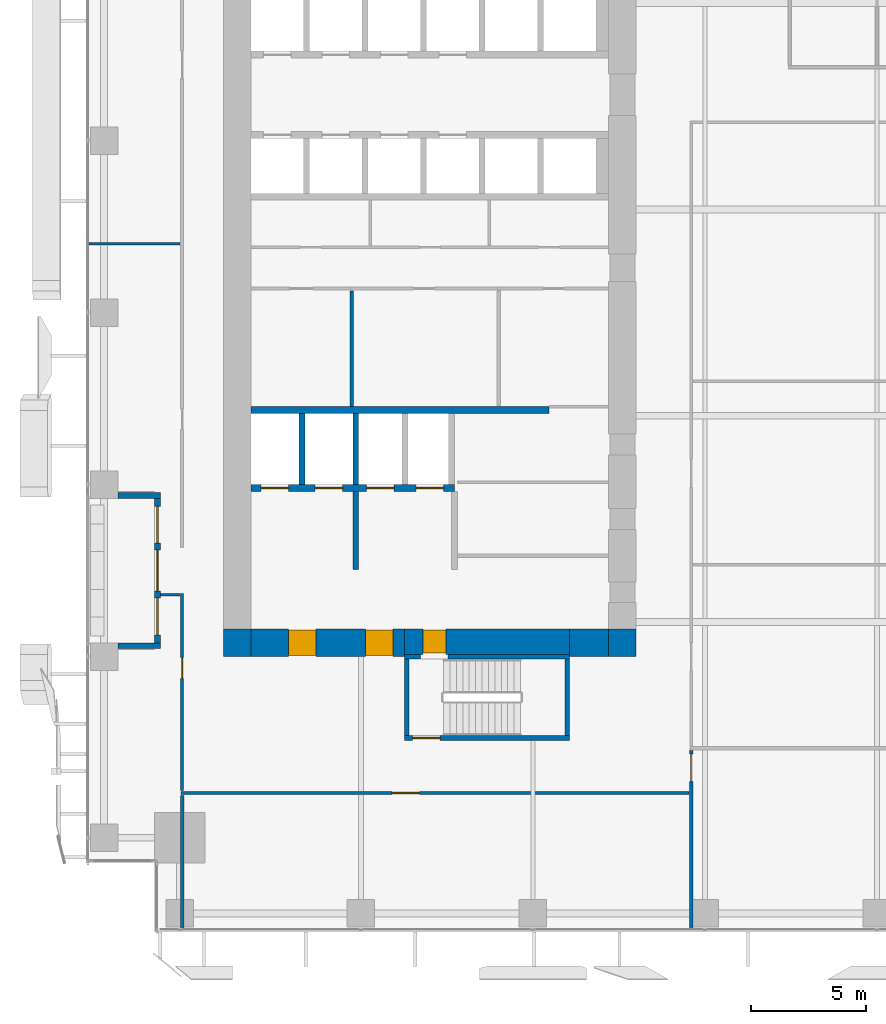
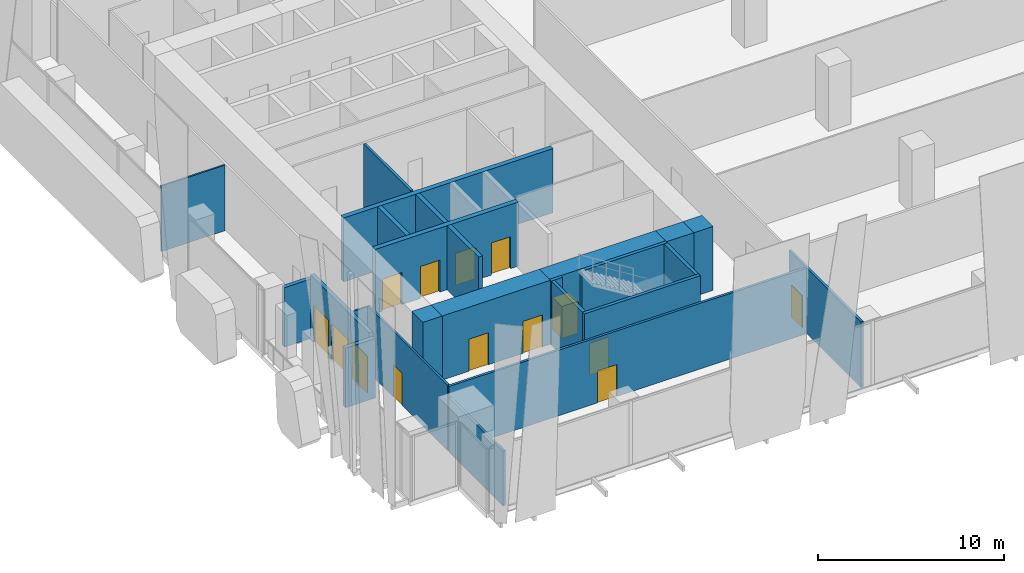
# One storey, part 28 of 36: 25 walls, 12 doors, 2 windows, 14 openings.
"""IFC4 building model written with IfcOpenShell, lengths in metres."""

from ifc_helpers import new_model, si_unit, direction, frame, frame_2d, origin, place, context, subcontext, project, spatial, rectangle, extrude, source, transform, mapped, material, layer, layer_set, type_object, element, fill, save


model = new_model("IFC4")

# Units and contexts
model_context = context("Model", 3, precision=1e-05, world=origin(), true_north=direction((0.0, 1.0)))
body_context = subcontext(model_context, "Body", "Model", "MODEL_VIEW")
ifc_project = project(units=[si_unit("LENGTHUNIT", "METRE"), si_unit("AREAUNIT", "SQUARE_METRE"), si_unit("VOLUMEUNIT", "CUBIC_METRE"), si_unit("PLANEANGLEUNIT", "RADIAN"), si_unit("MASSUNIT", "GRAM", prefix="KILO")], contexts=[model_context])

# Site, building, storey
site_placement = place(None, origin())
site = spatial("IfcSite", under=ifc_project, at=site_placement, CompositionType="ELEMENT")
building_placement = place(site_placement, origin())
building = spatial("IfcBuilding", under=site, at=building_placement, Name="Khomas Fold Tower", CompositionType="ELEMENT")
storey_placement = place(building_placement, frame((0.0, 0.0, 46.5)))
storey = spatial("IfcBuildingStorey", under=building, at=storey_placement, Name="L09", CompositionType="ELEMENT", Elevation=46.5)

# Wall, openings, doors
ifc_material_1 = material(Name="Concrete C70/85", Category="concrete")
ifc_layer_1 = layer(ifc_material_1, 1.199951171875)
ifc_layer_set_1 = layer_set([ifc_layer_1], Name="Concrete C70/85")
wall_type_1 = type_object("IfcWallType", Name="Core wall 1200", PredefinedType="SHEAR", material=ifc_layer_set_1)
shared_shape_1 = source(origin(), body_context, "Body", "SweptSolid", [
    extrude(rectangle(XDim=6.699951171875, YDim=1.199951171875, at=frame_2d((3.35009765625, 0.0))), origin(), (0.0, 0.0, 1.0), 4.199951171875),
])
wall_1_placement = place(storey_placement, frame((7.199951171875, 12.60009765625, 0.0), z_axis=(0.0, 0.0, 1.0), x_axis=(1.0, 0.0, 0.0)))
wall_1 = element("IfcWall", 1, at=wall_1_placement, inside=storey, type_object=wall_type_1, Name="Core wall CW-L-S-B2", PredefinedType="SHEAR", context=body_context, shape_type="MappedRepresentation", body=[
    mapped(shared_shape_1, transform((0.0, 0.0, 0.0))),
])
shared_shape_2 = source(origin(), body_context, "Body", "SweptSolid", [
    extrude(rectangle(XDim=1.199951171875, YDim=2.10009765625, at=frame_2d((0.60009765625, 1.050048828125))), frame((0.0, 0.60986328125, 0.0), z_axis=(0.0, -1.0, 0.0), x_axis=(1.0, 0.0, 0.0)), (0.0, 0.0, 1.0), 1.219970703125),
])
opening_1_placement = place(wall_1_placement, frame((5.0, 0.0, 0.0)))
opening_1 = element("IfcOpeningElement", 2, at=opening_1_placement, cuts=wall_1, Name="Opening 0009", PredefinedType="OPENING", context=body_context, shape_type="MappedRepresentation", body=[
    mapped(shared_shape_2, transform((0.0, 0.0, 0.0))),
])
opening_2_placement = place(wall_1_placement, frame((1.64990234375, 0.0, 0.0)))
opening_2 = element("IfcOpeningElement", 3, at=opening_2_placement, cuts=wall_1, Name="Opening 0009", PredefinedType="OPENING", context=body_context, shape_type="MappedRepresentation", body=[
    mapped(shared_shape_2, transform((0.0, 0.0, 0.0))),
])
ifc_material_2 = material(Name="Steel door leaf", Category="steel")
door_type_1 = type_object("IfcDoorType", Name="Lobby door 1200x2100 right-hand", OperationType="SINGLE_SWING_RIGHT", PredefinedType="DOOR", material=ifc_material_2)
shared_shape_3 = source(origin(), body_context, "Body", "SweptSolid", [
    extrude(rectangle(XDim=1.199951171875, YDim=2.10009765625, at=frame_2d((0.60009765625, 1.050048828125))), frame((0.0, 0.5498046875, 0.0), z_axis=(0.0, -1.0, 0.0), x_axis=(1.0, 0.0, 0.0)), (0.0, 0.0, 1.0), 1.099853515625),
])
door_1_placement = place(opening_1_placement, origin())
door_1 = element("IfcDoor", 4, at=door_1_placement, inside=storey, type_object=door_type_1, Name="Lobby door", OperationType="SINGLE_SWING_RIGHT", OverallHeight=2.10009765625, OverallWidth=1.199951171875, PredefinedType="DOOR", context=body_context, shape_type="MappedRepresentation", body=[
    mapped(shared_shape_3, transform((0.0, 0.0, 0.0))),
])
fill(opening_1, door_1)
door_2_placement = place(opening_2_placement, origin())
door_2 = element("IfcDoor", 5, at=door_2_placement, inside=storey, type_object=door_type_1, Name="Lobby door", OperationType="SINGLE_SWING_RIGHT", OverallHeight=2.10009765625, OverallWidth=1.199951171875, PredefinedType="DOOR", context=body_context, shape_type="MappedRepresentation", body=[
    mapped(shared_shape_3, transform((0.0, 0.0, 0.0))),
])
fill(opening_2, door_2)

# Walls
ifc_material_3 = material(Name="Concrete C70/85", Category="concrete")
ifc_layer_2 = layer(ifc_material_3, 1.199951171875)
ifc_layer_set_2 = layer_set([ifc_layer_2], Name="Concrete C70/85")
wall_type_2 = type_object("IfcWallType", Name="Core corner wall 1200", PredefinedType="SHEAR", material=ifc_layer_set_2)
shared_shape_4 = source(origin(), body_context, "Body", "SweptSolid", [
    extrude(rectangle(XDim=1.199951171875, YDim=1.199951171875, at=frame_2d((0.60009765625, 0.0))), origin(), (0.0, 0.0, 1.0), 4.199951171875),
])
for number, where, z_axis, x_axis, name in (
    (6, (22.800048828125, 12.60009765625, 0.0), (0.0, 0.0, 1.0), (1.0, 0.0, 0.0), "Core wall CW-L-SE-B2"),
    (7, (6.0, 12.60009765625, 0.0), (0.0, 0.0, 1.0), (1.0, 0.0, 0.0), "Core wall CW-L-SW-B2"),
):
    element("IfcWall", number, at=place(storey_placement, frame(where, z_axis=z_axis, x_axis=x_axis)), inside=storey, type_object=wall_type_2, Name=name, PredefinedType="SHEAR", context=body_context, shape_type="MappedRepresentation", body=[
        mapped(shared_shape_4, transform((0.0, 0.0, 0.0))),
    ])

# Wall, opening, door
ifc_material_4 = material(Name="Concrete C70/85", Category="concrete")
ifc_layer_3 = layer(ifc_material_4, 1.10009765625)
ifc_layer_set_3 = layer_set([ifc_layer_3], Name="Concrete C70/85")
wall_type_3 = type_object("IfcWallType", Name="Core wall 1100", PredefinedType="SHEAR", material=ifc_layer_set_3)
shared_shape_5 = source(origin(), body_context, "Body", "SweptSolid", [
    extrude(rectangle(XDim=7.2001953125, YDim=1.10009765625, at=frame_2d((3.60009765625, 0.0))), origin(), (0.0, 0.0, 1.0), 4.199951171875),
])
wall_2_placement = place(storey_placement, frame((13.89990234375, 12.64990234375, 0.0), z_axis=(0.0, 0.0, 1.0), x_axis=(1.0, 0.0, 0.0)))
wall_2 = element("IfcWall", 8, at=wall_2_placement, inside=storey, type_object=wall_type_3, Name="Core wall CW-L-S-B2-1", PredefinedType="SHEAR", context=body_context, shape_type="MappedRepresentation", body=[
    mapped(shared_shape_5, transform((0.0, 0.0, 0.0))),
])
shared_shape_6 = source(origin(), body_context, "Body", "SweptSolid", [
    extrude(rectangle(XDim=1.0, YDim=2.10009765625, at=frame_2d((0.5, 1.050048828125))), frame((0.0, 0.56005859375, 0.0), z_axis=(0.0, -1.0, 0.0), x_axis=(1.0, 0.0, 0.0)), (0.0, 0.0, 1.0), 1.1201171875),
])
opening_3_placement = place(wall_2_placement, frame((0.800048828125, 0.0, 0.0)))
opening_3 = element("IfcOpeningElement", 9, at=opening_3_placement, cuts=wall_2, Name="Opening 0010", PredefinedType="OPENING", context=body_context, shape_type="MappedRepresentation", body=[
    mapped(shared_shape_6, transform((0.0, 0.0, 0.0))),
])
ifc_material_5 = material(Name="Steel door leaf", Category="steel")
door_type_2 = type_object("IfcDoorType", Name="Stair door 1000x2100 right-hand", OperationType="SINGLE_SWING_RIGHT", PredefinedType="DOOR", material=ifc_material_5)
shared_shape_7 = source(origin(), body_context, "Body", "SweptSolid", [
    extrude(rectangle(XDim=1.0, YDim=2.10009765625, at=frame_2d((0.5, 1.050048828125))), frame((0.0, 0.5, 0.0), z_axis=(0.0, -1.0, 0.0), x_axis=(1.0, 0.0, 0.0)), (0.0, 0.0, 1.0), 1.0),
])
door_3_placement = place(opening_3_placement, origin())
door_3 = element("IfcDoor", 10, at=door_3_placement, inside=storey, type_object=door_type_2, Name="Stair door", OperationType="SINGLE_SWING_RIGHT", OverallHeight=2.10009765625, OverallWidth=1.0, PredefinedType="DOOR", context=body_context, shape_type="MappedRepresentation", body=[
    mapped(shared_shape_7, transform((0.0, 0.0, 0.0))),
])
fill(opening_3, door_3)

# Walls
shared_shape_8 = source(origin(), body_context, "Body", "SweptSolid", [
    extrude(rectangle(XDim=1.699951171875, YDim=1.199951171875, at=frame_2d((0.85009765625, 0.0))), origin(), (0.0, 0.0, 1.0), 4.199951171875),
])
wall_3_placement = place(storey_placement, frame((21.10009765625, 12.60009765625, 0.0), z_axis=(0.0, 0.0, 1.0), x_axis=(1.0, 0.0, 0.0)))
element("IfcWall", 11, at=wall_3_placement, inside=storey, type_object=wall_type_1, Name="Core wall CW-L-S-B2-2", PredefinedType="SHEAR", context=body_context, shape_type="MappedRepresentation", body=[
    mapped(shared_shape_8, transform((0.0, 0.0, 0.0))),
])
ifc_material_6 = material(Name="Concrete C50/60", Category="concrete")
ifc_layer_4 = layer(ifc_material_6, 0.199951171875)
ifc_layer_set_4 = layer_set([ifc_layer_4], Name="Concrete C50/60")
wall_type_4 = type_object("IfcWallType", Name="Stair wall 200", PredefinedType="SHEAR", material=ifc_layer_set_4)
shared_shape_9 = source(origin(), body_context, "Body", "SweptSolid", [
    extrude(rectangle(XDim=0.7001953125, YDim=0.199951171875, at=frame_2d((0.35009765625, 0.0))), origin(), (0.0, 0.0, 1.0), 4.199951171875),
])
wall_4_placement = place(storey_placement, frame((13.89990234375, 12.0, 0.0), z_axis=(0.0, 0.0, 1.0), x_axis=(1.0, 0.0, 0.0)))
element("IfcWall", 12, at=wall_4_placement, inside=storey, type_object=wall_type_4, Name="Stair wall SW-ST2-N", PredefinedType="SHEAR", context=body_context, shape_type="MappedRepresentation", body=[
    mapped(shared_shape_9, transform((0.0, 0.0, 0.0))),
])
shared_shape_10 = source(origin(), body_context, "Body", "SweptSolid", [
    extrude(rectangle(XDim=5.300048828125, YDim=0.199951171875, at=frame_2d((2.64990234375, 0.0))), origin(), (0.0, 0.0, 1.0), 4.199951171875),
])
wall_5_placement = place(storey_placement, frame((15.800048828125, 12.0, 0.0), z_axis=(0.0, 0.0, 1.0), x_axis=(1.0, 0.0, 0.0)))
element("IfcWall", 13, at=wall_5_placement, inside=storey, type_object=wall_type_4, Name="Stair wall SW-ST2-NB", PredefinedType="SHEAR", context=body_context, shape_type="MappedRepresentation", body=[
    mapped(shared_shape_10, transform((0.0, 0.0, 0.0))),
])

# Wall, opening, door
shared_shape_11 = source(origin(), body_context, "Body", "SweptSolid", [
    extrude(rectangle(XDim=7.2001953125, YDim=0.199951171875, at=frame_2d((3.60009765625, 0.0))), origin(), (0.0, 0.0, 1.0), 4.199951171875),
])
wall_6_placement = place(storey_placement, frame((13.89990234375, 8.449951171875, 0.0), z_axis=(0.0, 0.0, 1.0), x_axis=(1.0, 0.0, 0.0)))
wall_6 = element("IfcWall", 14, at=wall_6_placement, inside=storey, type_object=wall_type_4, Name="Stair wall SW-ST2-S", PredefinedType="SHEAR", context=body_context, shape_type="MappedRepresentation", body=[
    mapped(shared_shape_11, transform((0.0, 0.0, 0.0))),
])
shared_shape_12 = source(origin(), body_context, "Body", "SweptSolid", [
    extrude(rectangle(XDim=1.199951171875, YDim=2.10009765625, at=frame_2d((0.60009765625, 1.050048828125))), frame((0.0, 0.10986328125, 0.0), z_axis=(0.0, -1.0, 0.0), x_axis=(1.0, 0.0, 0.0)), (0.0, 0.0, 1.0), 0.219970703125),
])
opening_4_placement = place(wall_6_placement, frame((0.35009765625, 0.0, 0.0)))
opening_4 = element("IfcOpeningElement", 15, at=opening_4_placement, cuts=wall_6, Name="Opening SD-ST2", PredefinedType="OPENING", context=body_context, shape_type="MappedRepresentation", body=[
    mapped(shared_shape_12, transform((0.0, 0.0, 0.0))),
])
ifc_material_7 = material(Name="Steel door leaf", Category="steel")
door_type_3 = type_object("IfcDoorType", Name="Stair door 1200x2100 right-hand", OperationType="SINGLE_SWING_RIGHT", PredefinedType="DOOR", material=ifc_material_7)
shared_shape_13 = source(origin(), body_context, "Body", "SweptSolid", [
    extrude(rectangle(XDim=1.199951171875, YDim=2.10009765625, at=frame_2d((0.60009765625, 1.050048828125))), frame((0.0, 0.02490234375, 0.0), z_axis=(0.0, -1.0, 0.0), x_axis=(1.0, 0.0, 0.0)), (0.0, 0.0, 1.0), 0.050048828125),
])
door_4_placement = place(opening_4_placement, origin())
door_4 = element("IfcDoor", 16, at=door_4_placement, inside=storey, type_object=door_type_3, Name="Stair door", OperationType="SINGLE_SWING_RIGHT", OverallHeight=2.10009765625, OverallWidth=1.199951171875, PredefinedType="DOOR", context=body_context, shape_type="MappedRepresentation", body=[
    mapped(shared_shape_13, transform((0.0, 0.0, 0.0))),
])
fill(opening_4, door_4)

# Walls
shared_shape_14 = source(origin(), body_context, "Body", "SweptSolid", [
    extrude(rectangle(XDim=3.349853515625, YDim=0.199951171875, at=frame_2d((1.6748046875, 0.0))), origin(), (0.0, 0.0, 1.0), 4.199951171875),
])
for number, where, z_axis, x_axis, name in (
    (17, (21.0, 8.550048828125, 0.0), (0.0, 0.0, 1.0), (0.0, 1.0, 0.0), "Stair wall SW-ST2-E"),
    (18, (14.0, 8.550048828125, 0.0), (0.0, 0.0, 1.0), (0.0, 1.0, 0.0), "Stair wall SW-ST2-W"),
):
    element("IfcWall", number, at=place(storey_placement, frame(where, z_axis=z_axis, x_axis=x_axis)), inside=storey, type_object=wall_type_4, Name=name, PredefinedType="SHEAR", context=body_context, shape_type="MappedRepresentation", body=[
        mapped(shared_shape_14, transform((0.0, 0.0, 0.0))),
    ])
ifc_material_8 = material(Name="Concrete C50/60", Category="concrete")
ifc_layer_5 = layer(ifc_material_8, 0.300048828125)
ifc_layer_set_5 = layer_set([ifc_layer_5], Name="Concrete C50/60")
wall_type_5 = type_object("IfcWallType", Name="Shaft wall 300", PredefinedType="STANDARD", material=ifc_layer_set_5)
shared_shape_15 = source(origin(), body_context, "Body", "SweptSolid", [
    extrude(rectangle(XDim=13.0, YDim=0.300048828125, at=frame_2d((6.5, 0.0))), origin(), (0.0, 0.0, 1.0), 4.199951171875),
])
wall_7_placement = place(storey_placement, frame((7.199951171875, 22.75, 0.0), z_axis=(0.0, 0.0, 1.0), x_axis=(1.0, 0.0, 0.0)))
element("IfcWall", 19, at=wall_7_placement, inside=storey, type_object=wall_type_5, Name="Core wall SW-FS-B", PredefinedType="STANDARD", context=body_context, shape_type="MappedRepresentation", body=[
    mapped(shared_shape_15, transform((0.0, 0.0, 0.0))),
])

# Wall, openings, doors
shared_shape_16 = source(origin(), body_context, "Body", "SweptSolid", [
    extrude(rectangle(XDim=8.875, YDim=0.300048828125, at=frame_2d((4.4375, 0.0))), origin(), (0.0, 0.0, 1.0), 4.199951171875),
])
wall_8_placement = place(storey_placement, frame((7.199951171875, 19.35009765625, 0.0), z_axis=(0.0, 0.0, 1.0), x_axis=(1.0, 0.0, 0.0)))
wall_8 = element("IfcWall", 20, at=wall_8_placement, inside=storey, type_object=wall_type_5, Name="Core wall SW-FS-F", PredefinedType="STANDARD", context=body_context, shape_type="MappedRepresentation", body=[
    mapped(shared_shape_16, transform((0.0, 0.0, 0.0))),
])
shared_shape_17 = source(origin(), body_context, "Body", "SweptSolid", [
    extrude(rectangle(XDim=1.199951171875, YDim=2.10009765625, at=frame_2d((0.60009765625, 1.050048828125))), frame((0.0, 0.159912109375, 0.0), z_axis=(0.0, -1.0, 0.0), x_axis=(1.0, 0.0, 0.0)), (0.0, 0.0, 1.0), 0.320068359375),
])
opening_5_placement = place(wall_8_placement, frame((0.449951171875, 0.0, 0.0)))
opening_5 = element("IfcOpeningElement", 21, at=opening_5_placement, cuts=wall_8, Name="Opening LD-SV1", PredefinedType="OPENING", context=body_context, shape_type="MappedRepresentation", body=[
    mapped(shared_shape_17, transform((0.0, 0.0, 0.0))),
])
opening_6_placement = place(wall_8_placement, frame((2.800048828125, 0.0, 0.0)))
opening_6 = element("IfcOpeningElement", 22, at=opening_6_placement, cuts=wall_8, Name="Opening LD-SV2", PredefinedType="OPENING", context=body_context, shape_type="MappedRepresentation", body=[
    mapped(shared_shape_17, transform((0.0, 0.0, 0.0))),
])
opening_7_placement = place(wall_8_placement, frame((5.050048828125, 0.0, 0.0)))
opening_7 = element("IfcOpeningElement", 23, at=opening_7_placement, cuts=wall_8, Name="Opening LD-FF1", PredefinedType="OPENING", context=body_context, shape_type="MappedRepresentation", body=[
    mapped(shared_shape_17, transform((0.0, 0.0, 0.0))),
])
opening_8_placement = place(wall_8_placement, frame((7.199951171875, 0.0, 0.0)))
opening_8 = element("IfcOpeningElement", 24, at=opening_8_placement, cuts=wall_8, Name="Opening LD-FF2", PredefinedType="OPENING", context=body_context, shape_type="MappedRepresentation", body=[
    mapped(shared_shape_17, transform((0.0, 0.0, 0.0))),
])
ifc_material_9 = material(Name="Steel door leaf", Category="steel")
door_type_4 = type_object("IfcDoorType", Name="Landing door 1200x2100", OperationType="DOUBLE_DOOR_SLIDING", PredefinedType="DOOR", material=ifc_material_9)
door_5_placement = place(opening_5_placement, origin())
door_5 = element("IfcDoor", 25, at=door_5_placement, inside=storey, type_object=door_type_4, Name="Lift landing door", OperationType="DOUBLE_DOOR_SLIDING", OverallHeight=2.10009765625, OverallWidth=1.199951171875, PredefinedType="DOOR", context=body_context, shape_type="MappedRepresentation", body=[
    mapped(shared_shape_13, transform((0.0, 0.0, 0.0))),
])
fill(opening_5, door_5)
door_6_placement = place(opening_6_placement, origin())
door_6 = element("IfcDoor", 26, at=door_6_placement, inside=storey, type_object=door_type_4, Name="Lift landing door", OperationType="DOUBLE_DOOR_SLIDING", OverallHeight=2.10009765625, OverallWidth=1.199951171875, PredefinedType="DOOR", context=body_context, shape_type="MappedRepresentation", body=[
    mapped(shared_shape_13, transform((0.0, 0.0, 0.0))),
])
fill(opening_6, door_6)
door_7_placement = place(opening_7_placement, origin())
door_7 = element("IfcDoor", 27, at=door_7_placement, inside=storey, type_object=door_type_4, Name="Lift landing door", OperationType="DOUBLE_DOOR_SLIDING", OverallHeight=2.10009765625, OverallWidth=1.199951171875, PredefinedType="DOOR", context=body_context, shape_type="MappedRepresentation", body=[
    mapped(shared_shape_13, transform((0.0, 0.0, 0.0))),
])
fill(opening_7, door_7)
door_8_placement = place(opening_8_placement, origin())
door_8 = element("IfcDoor", 28, at=door_8_placement, inside=storey, type_object=door_type_4, Name="Lift landing door", OperationType="DOUBLE_DOOR_SLIDING", OverallHeight=2.10009765625, OverallWidth=1.199951171875, PredefinedType="DOOR", context=body_context, shape_type="MappedRepresentation", body=[
    mapped(shared_shape_13, transform((0.0, 0.0, 0.0))),
])
fill(opening_8, door_8)

# Walls
ifc_material_10 = material(Name="Concrete C50/60", Category="concrete")
ifc_layer_6 = layer(ifc_material_10, 0.25)
ifc_layer_set_6 = layer_set([ifc_layer_6], Name="Concrete C50/60")
wall_type_6 = type_object("IfcWallType", Name="Shaft wall 250", PredefinedType="STANDARD", material=ifc_layer_set_6)
shared_shape_18 = source(origin(), body_context, "Body", "SweptSolid", [
    extrude(rectangle(XDim=3.10009765625, YDim=0.25, at=frame_2d((1.550048828125, 0.0))), origin(), (0.0, 0.0, 1.0), 4.199951171875),
])
for number, where, z_axis, x_axis, name in (
    (29, (9.425048828125, 19.5, 0.0), (0.0, 0.0, 1.0), (0.0, 1.0, 0.0), "Core wall SW-FS-P1"),
    (30, (11.77490234375, 19.5, 0.0), (0.0, 0.0, 1.0), (0.0, 1.0, 0.0), "Core wall SW-FS-P2"),
):
    element("IfcWall", number, at=place(storey_placement, frame(where, z_axis=z_axis, x_axis=x_axis)), inside=storey, type_object=wall_type_6, Name=name, PredefinedType="STANDARD", context=body_context, shape_type="MappedRepresentation", body=[
        mapped(shared_shape_18, transform((0.0, 0.0, 0.0))),
    ])
ifc_material_11 = material(Name="Concrete C50/60", Category="concrete")
ifc_layer_7 = layer(ifc_material_11, 0.25)
ifc_layer_set_7 = layer_set([ifc_layer_7], Name="Concrete C50/60")
wall_type_7 = type_object("IfcWallType", Name="Lobby wall 250", PredefinedType="STANDARD", material=ifc_layer_set_7)
shared_shape_19 = source(origin(), body_context, "Body", "SweptSolid", [
    extrude(rectangle(XDim=3.39990234375, YDim=0.25, at=frame_2d((1.699951171875, 0.0))), origin(), (0.0, 0.0, 1.0), 4.199951171875),
])
wall_9_placement = place(storey_placement, frame((11.77490234375, 15.800048828125, 0.0), z_axis=(0.0, 0.0, 1.0), x_axis=(0.0, 1.0, 0.0)))
element("IfcWall", 31, at=wall_9_placement, inside=storey, type_object=wall_type_7, Name="Core wall SW-FS-SEP", PredefinedType="STANDARD", context=body_context, shape_type="MappedRepresentation", body=[
    mapped(shared_shape_19, transform((0.0, 0.0, 0.0))),
])
ifc_material_12 = material(Name="Natural stone", Category="masonry")
ifc_layer_8 = layer(ifc_material_12, 0.0400390625)
ifc_material_13 = material(Name="Mineral wool insulation", Category="insulation")
ifc_layer_9 = layer(ifc_material_13, 0.10009765625)
ifc_material_14 = material(Name="Masonry", Category="masonry")
ifc_layer_10 = layer(ifc_material_14, 0.110107421875)
ifc_layer_set_8 = layer_set([ifc_layer_8, ifc_layer_9, ifc_layer_10], Name="Stone-faced insulated masonry")
wall_type_8 = type_object("IfcWallType", Name="BL-Balcony wall", PredefinedType="SOLIDWALL", material=ifc_layer_set_8)
shared_shape_20 = source(origin(), body_context, "Body", "SweptSolid", [
    extrude(rectangle(XDim=1.85009765625, YDim=0.25, at=frame_2d((0.925048828125, 0.0))), origin(), (0.0, 0.0, 1.0), 3.89990234375),
])
for number, where, z_axis, x_axis, name in (
    (32, (1.39990234375, 12.47509765625, 0.0), (0.0, 0.0, 1.0), (1.0, 0.0, 0.0), "Balcony return wall BAL-L09-W1-lo"),
    (33, (1.39990234375, 19.02490234375, 0.0), (0.0, 0.0, 1.0), (1.0, 0.0, 0.0), "Balcony return wall BAL-L09-W1-hi"),
):
    element("IfcWall", number, at=place(storey_placement, frame(where, z_axis=z_axis, x_axis=x_axis)), inside=storey, type_object=wall_type_8, Name=name, PredefinedType="SOLIDWALL", context=body_context, shape_type="MappedRepresentation", body=[
        mapped(shared_shape_20, transform((0.0, 0.0, 0.0))),
    ])

# Wall, openings, windows, door
shared_shape_21 = source(origin(), body_context, "Body", "SweptSolid", [
    extrude(rectangle(XDim=6.2998046875, YDim=0.25, at=frame_2d((3.14990234375, 0.0))), origin(), (0.0, 0.0, 1.0), 4.199951171875),
])
wall_10_placement = place(storey_placement, frame((3.125, 12.60009765625, 0.0), z_axis=(0.0, 0.0, 1.0), x_axis=(0.0, 1.0, 0.0)))
wall_10 = element("IfcWall", 34, at=wall_10_placement, inside=storey, type_object=wall_type_8, Name="Balcony wall BAL-L09-W1", PredefinedType="SOLIDWALL", context=body_context, shape_type="MappedRepresentation", body=[
    mapped(shared_shape_21, transform((0.0, 0.0, 0.0))),
])
shared_shape_22 = source(origin(), body_context, "Body", "SweptSolid", [
    extrude(rectangle(XDim=1.60009765625, YDim=2.39990234375, at=frame_2d((0.800048828125, 1.199951171875))), frame((0.0, 0.135009765625, 0.0), z_axis=(0.0, -1.0, 0.0), x_axis=(1.0, 0.0, 0.0)), (0.0, 0.0, 1.0), 0.27001953125),
])
opening_9_placement = place(wall_10_placement, frame((0.35009765625, 0.0, 0.0)))
opening_9 = element("IfcOpeningElement", 35, at=opening_9_placement, cuts=wall_10, Name="Opening BL-W1", PredefinedType="OPENING", context=body_context, shape_type="MappedRepresentation", body=[
    mapped(shared_shape_22, transform((0.0, 0.0, 0.0))),
])
opening_10_placement = place(wall_10_placement, frame((4.35009765625, 0.0, 0.0)))
opening_10 = element("IfcOpeningElement", 36, at=opening_10_placement, cuts=wall_10, Name="Opening BL-W1", PredefinedType="OPENING", context=body_context, shape_type="MappedRepresentation", body=[
    mapped(shared_shape_22, transform((0.0, 0.0, 0.0))),
])
shared_shape_23 = source(origin(), body_context, "Body", "SweptSolid", [
    extrude(rectangle(XDim=1.800048828125, YDim=2.39990234375, at=frame_2d((0.89990234375, 1.199951171875))), frame((0.0, 0.135009765625, 0.0), z_axis=(0.0, -1.0, 0.0), x_axis=(1.0, 0.0, 0.0)), (0.0, 0.0, 1.0), 0.27001953125),
])
opening_11_placement = place(wall_10_placement, frame((2.25, 0.0, 0.0)))
opening_11 = element("IfcOpeningElement", 37, at=opening_11_placement, cuts=wall_10, Name="Opening BD092", PredefinedType="OPENING", context=body_context, shape_type="MappedRepresentation", body=[
    mapped(shared_shape_23, transform((0.0, 0.0, 0.0))),
])
ifc_material_15 = material(Name="Aluminium framed double glazing", Category="aluminium")
window_type = type_object("IfcWindowType", Name="BL-Fixed glazing 1600 x 2400", PartitioningType="SINGLE_PANEL", PredefinedType="WINDOW", material=ifc_material_15)
shared_shape_24 = source(origin(), body_context, "Body", "SweptSolid", [
    extrude(rectangle(XDim=1.60009765625, YDim=2.39990234375, at=frame_2d((0.800048828125, 1.199951171875))), frame((0.0, 0.030029296875, 0.0), z_axis=(0.0, -1.0, 0.0), x_axis=(1.0, 0.0, 0.0)), (0.0, 0.0, 1.0), 0.06005859375),
])
window_1_placement = place(opening_9_placement, origin())
window_1 = element("IfcWindow", 38, at=window_1_placement, inside=storey, type_object=window_type, Name="Balcony glazing BAL-L09-W1-1", OverallHeight=2.39990234375, OverallWidth=1.60009765625, PartitioningType="SINGLE_PANEL", PredefinedType="WINDOW", context=body_context, shape_type="MappedRepresentation", body=[
    mapped(shared_shape_24, transform((0.0, 0.0, 0.0))),
])
fill(opening_9, window_1)
window_2_placement = place(opening_10_placement, origin())
window_2 = element("IfcWindow", 39, at=window_2_placement, inside=storey, type_object=window_type, Name="Balcony glazing BAL-L09-W1-2", OverallHeight=2.39990234375, OverallWidth=1.60009765625, PartitioningType="SINGLE_PANEL", PredefinedType="WINDOW", context=body_context, shape_type="MappedRepresentation", body=[
    mapped(shared_shape_24, transform((0.0, 0.0, 0.0))),
])
fill(opening_10, window_2)
ifc_material_16 = material(Name="Aluminium framed double glazing", Category="aluminium")
door_type_5 = type_object("IfcDoorType", Name="BL-Glazed balcony door 1800 x 2400", OperationType="DOUBLE_DOOR_DOUBLE_SWING", PredefinedType="DOOR", material=ifc_material_16)
shared_shape_25 = source(origin(), body_context, "Body", "SweptSolid", [
    extrude(rectangle(XDim=1.800048828125, YDim=2.39990234375, at=frame_2d((0.89990234375, 1.199951171875))), frame((0.0, 0.02490234375, 0.0), z_axis=(0.0, -1.0, 0.0), x_axis=(1.0, 0.0, 0.0)), (0.0, 0.0, 1.0), 0.050048828125),
])
door_9_placement = place(opening_11_placement, origin())
door_9 = element("IfcDoor", 40, at=door_9_placement, inside=storey, type_object=door_type_5, Name="Balcony door BD092", OperationType="DOUBLE_DOOR_DOUBLE_SWING", OverallHeight=2.39990234375, OverallWidth=1.800048828125, PredefinedType="DOOR", context=body_context, shape_type="MappedRepresentation", body=[
    mapped(shared_shape_25, transform((0.0, 0.0, 0.0))),
])
fill(opening_11, door_9)

# Wall, opening, door
ifc_material_17 = material(Name="Plasterboard fire partition")
ifc_layer_11 = layer(ifc_material_17, 0.14990234375)
ifc_layer_set_9 = layer_set([ifc_layer_11], Name="Plasterboard fire partition")
wall_type_9 = type_object("IfcWallType", Name="Plant room wall PW3 150", PredefinedType="PARTITIONING", material=ifc_layer_set_9)
shared_shape_26 = source(origin(), body_context, "Body", "SweptSolid", [
    extrude(rectangle(XDim=7.75, YDim=0.14990234375, at=frame_2d((3.875, 0.0))), origin(), (0.0, 0.0, 1.0), 4.300048828125),
])
wall_11_placement = place(storey_placement, frame((26.39990234375, 0.14990234375, 0.0), z_axis=(0.0, 0.0, 1.0), x_axis=(0.0, 1.0, 0.0)))
wall_11 = element("IfcWall", 41, at=wall_11_placement, inside=storey, type_object=wall_type_9, Name="Plant room wall", PredefinedType="PARTITIONING", context=body_context, shape_type="MappedRepresentation", body=[
    mapped(shared_shape_26, transform((0.0, 0.0, 0.0))),
])
shared_shape_27 = source(origin(), body_context, "Body", "SweptSolid", [
    extrude(rectangle(XDim=1.199951171875, YDim=2.10009765625, at=frame_2d((0.60009765625, 1.050048828125))), frame((0.0, 0.0849609375, 0.0), z_axis=(0.0, -1.0, 0.0), x_axis=(1.0, 0.0, 0.0)), (0.0, 0.0, 1.0), 0.169921875),
])
opening_12_placement = place(wall_11_placement, frame((6.39990234375, 0.0, 0.0)))
opening_12 = element("IfcOpeningElement", 42, at=opening_12_placement, cuts=wall_11, Name="Opening 0011", PredefinedType="OPENING", context=body_context, shape_type="MappedRepresentation", body=[
    mapped(shared_shape_27, transform((0.0, 0.0, 0.0))),
])
ifc_material_18 = material(Name="Steel door leaf", Category="steel")
door_type_6 = type_object("IfcDoorType", Name="Plant room door 1200x2100 right-hand", OperationType="SINGLE_SWING_RIGHT", PredefinedType="DOOR", material=ifc_material_18)
door_10_placement = place(opening_12_placement, origin())
door_10 = element("IfcDoor", 43, at=door_10_placement, inside=storey, type_object=door_type_6, Name="Plant room door", OperationType="SINGLE_SWING_RIGHT", OverallHeight=2.10009765625, OverallWidth=1.199951171875, PredefinedType="DOOR", context=body_context, shape_type="MappedRepresentation", body=[
    mapped(shared_shape_13, transform((0.0, 0.0, 0.0))),
])
fill(opening_12, door_10)

# Walls
ifc_material_19 = material(Name="Plasterboard partition")
ifc_layer_12 = layer(ifc_material_19, 0.10009765625)
ifc_layer_set_10 = layer_set([ifc_layer_12], Name="Plasterboard partition")
wall_type_10 = type_object("IfcWallType", Name="Partition PW1 100", PredefinedType="PARTITIONING", material=ifc_layer_set_10)
shared_shape_28 = source(origin(), body_context, "Body", "SweptSolid", [
    extrude(rectangle(XDim=3.9501953125, YDim=0.10009765625, at=frame_2d((1.97509765625, 0.0))), origin(), (0.0, 0.0, 1.0), 4.300048828125),
])
wall_12_placement = place(storey_placement, frame((0.14990234375, 30.0, 0.0), z_axis=(0.0, 0.0, 1.0), x_axis=(1.0, 0.0, 0.0)))
element("IfcWall", 44, at=wall_12_placement, inside=storey, type_object=wall_type_10, Name="Partition", PredefinedType="PARTITIONING", context=body_context, shape_type="MappedRepresentation", body=[
    mapped(shared_shape_28, transform((0.0, 0.0, 0.0))),
])
shared_shape_29 = source(origin(), body_context, "Body", "SweptSolid", [
    extrude(rectangle(XDim=5.800048828125, YDim=0.14990234375, at=frame_2d((2.89990234375, 0.0))), origin(), (0.0, 0.0, 1.0), 3.60009765625),
])
wall_13_placement = place(storey_placement, frame((4.199951171875, 0.14990234375, 0.0), z_axis=(0.0, 0.0, 1.0), x_axis=(0.0, 1.0, 0.0)))
element("IfcWall", 45, at=wall_13_placement, inside=storey, type_object=wall_type_9, Name="Plant room wall", PredefinedType="PARTITIONING", context=body_context, shape_type="MappedRepresentation", body=[
    mapped(shared_shape_29, transform((0.0, 0.0, 0.0))),
])

# Wall, opening, door
shared_shape_30 = source(origin(), body_context, "Body", "SweptSolid", [
    extrude(rectangle(XDim=22.150146484375, YDim=0.14990234375, at=frame_2d((11.0751953125, 0.0))), origin(), (0.0, 0.0, 1.0), 4.300048828125),
])
wall_14_placement = place(storey_placement, frame((4.14990234375, 6.050048828125, 0.0), z_axis=(0.0, 0.0, 1.0), x_axis=(1.0, 0.0, 0.0)))
wall_14 = element("IfcWall", 46, at=wall_14_placement, inside=storey, type_object=wall_type_9, Name="Plant room wall", PredefinedType="PARTITIONING", context=body_context, shape_type="MappedRepresentation", body=[
    mapped(shared_shape_30, transform((0.0, 0.0, 0.0))),
])
opening_13_placement = place(wall_14_placement, frame((9.199951171875, 0.0, 0.0)))
opening_13 = element("IfcOpeningElement", 47, at=opening_13_placement, cuts=wall_14, Name="Opening 0012", PredefinedType="OPENING", context=body_context, shape_type="MappedRepresentation", body=[
    mapped(shared_shape_27, transform((0.0, 0.0, 0.0))),
])
ifc_material_20 = material(Name="Steel door leaf", Category="steel")
door_type_7 = type_object("IfcDoorType", Name="Plant room door 1200x2100 left-hand", OperationType="SINGLE_SWING_LEFT", PredefinedType="DOOR", material=ifc_material_20)
door_11_placement = place(opening_13_placement, origin())
door_11 = element("IfcDoor", 48, at=door_11_placement, inside=storey, type_object=door_type_7, Name="Plant room door", OperationType="SINGLE_SWING_LEFT", OverallHeight=2.10009765625, OverallWidth=1.199951171875, PredefinedType="DOOR", context=body_context, shape_type="MappedRepresentation", body=[
    mapped(shared_shape_13, transform((0.0, 0.0, 0.0))),
])
fill(opening_13, door_11)

# Walls
shared_shape_31 = source(origin(), body_context, "Body", "SweptSolid", [
    extrude(rectangle(XDim=0.85009765625, YDim=0.10009765625, at=frame_2d((0.425048828125, 0.0))), origin(), (0.0, 0.0, 1.0), 4.300048828125),
])
wall_15_placement = place(storey_placement, frame((3.25, 14.699951171875, 0.0), z_axis=(0.0, 0.0, 1.0), x_axis=(1.0, 0.0, 0.0)))
element("IfcWall", 49, at=wall_15_placement, inside=storey, type_object=wall_type_10, Name="Partition", PredefinedType="PARTITIONING", context=body_context, shape_type="MappedRepresentation", body=[
    mapped(shared_shape_31, transform((0.0, 0.0, 0.0))),
])
shared_shape_32 = source(origin(), body_context, "Body", "SweptSolid", [
    extrude(rectangle(XDim=5.050048828125, YDim=0.14990234375, at=frame_2d((2.52490234375, 0.0))), origin(), (0.0, 0.0, 1.0), 4.300048828125),
])
wall_16_placement = place(storey_placement, frame((11.60009765625, 22.89990234375, 0.0), z_axis=(0.0, 0.0, 1.0), x_axis=(0.0, 1.0, 0.0)))
element("IfcWall", 50, at=wall_16_placement, inside=storey, type_object=wall_type_9, Name="Plant room wall", PredefinedType="PARTITIONING", context=body_context, shape_type="MappedRepresentation", body=[
    mapped(shared_shape_32, transform((0.0, 0.0, 0.0))),
])

# Wall, opening, door
ifc_material_21 = material(Name="Plasterboard partition")
ifc_layer_13 = layer(ifc_material_21, 0.125)
ifc_layer_set_11 = layer_set([ifc_layer_13], Name="Plasterboard partition")
wall_type_11 = type_object("IfcWallType", Name="Partition PW2 125", PredefinedType="PARTITIONING", material=ifc_layer_set_11)
shared_shape_33 = source(origin(), body_context, "Body", "SweptSolid", [
    extrude(rectangle(XDim=8.60009765625, YDim=0.125, at=frame_2d((4.300048828125, 0.0))), origin(), (0.0, 0.0, 1.0), 4.300048828125),
])
wall_17_placement = place(storey_placement, frame((4.199951171875, 6.14990234375, 0.0), z_axis=(0.0, 0.0, 1.0), x_axis=(0.0, 1.0, 0.0)))
wall_17 = element("IfcWall", 51, at=wall_17_placement, inside=storey, type_object=wall_type_11, Name="Partition", PredefinedType="PARTITIONING", context=body_context, shape_type="MappedRepresentation", body=[
    mapped(shared_shape_33, transform((0.0, 0.0, 0.0))),
])
shared_shape_34 = source(origin(), body_context, "Body", "SweptSolid", [
    extrude(rectangle(XDim=0.89990234375, YDim=2.10009765625, at=frame_2d((0.449951171875, 1.050048828125))), frame((0.0, 0.072509765625, 0.0), z_axis=(0.0, -1.0, 0.0), x_axis=(1.0, 0.0, 0.0)), (0.0, 0.0, 1.0), 0.14501953125),
])
opening_14_placement = place(wall_17_placement, frame((4.89990234375, 0.0, 0.0)))
opening_14 = element("IfcOpeningElement", 52, at=opening_14_placement, cuts=wall_17, Name="Opening 0008", PredefinedType="OPENING", context=body_context, shape_type="MappedRepresentation", body=[
    mapped(shared_shape_34, transform((0.0, 0.0, 0.0))),
])
ifc_material_22 = material(Name="Timber door leaf", Category="wood")
door_type_8 = type_object("IfcDoorType", Name="Door 900x2100 right-hand", OperationType="SINGLE_SWING_RIGHT", PredefinedType="DOOR", material=ifc_material_22)
shared_shape_35 = source(origin(), body_context, "Body", "SweptSolid", [
    extrude(rectangle(XDim=0.89990234375, YDim=2.10009765625, at=frame_2d((0.449951171875, 1.050048828125))), frame((0.0, 0.02490234375, 0.0), z_axis=(0.0, -1.0, 0.0), x_axis=(1.0, 0.0, 0.0)), (0.0, 0.0, 1.0), 0.050048828125),
])
door_12_placement = place(opening_14_placement, origin())
door_12 = element("IfcDoor", 53, at=door_12_placement, inside=storey, type_object=door_type_8, Name="Door", OperationType="SINGLE_SWING_RIGHT", OverallHeight=2.10009765625, OverallWidth=0.89990234375, PredefinedType="DOOR", context=body_context, shape_type="MappedRepresentation", body=[
    mapped(shared_shape_35, transform((0.0, 0.0, 0.0))),
])
fill(opening_14, door_12)

save(model, "model.ifc")
